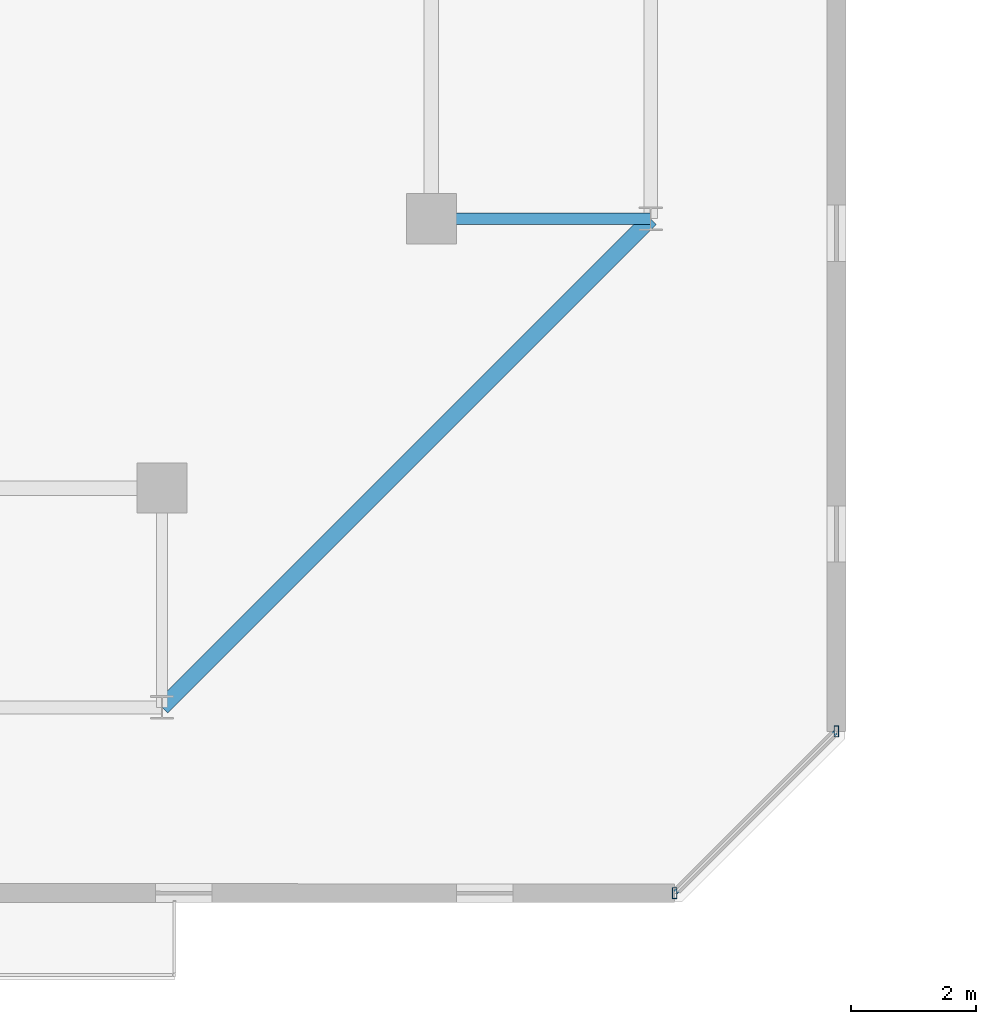
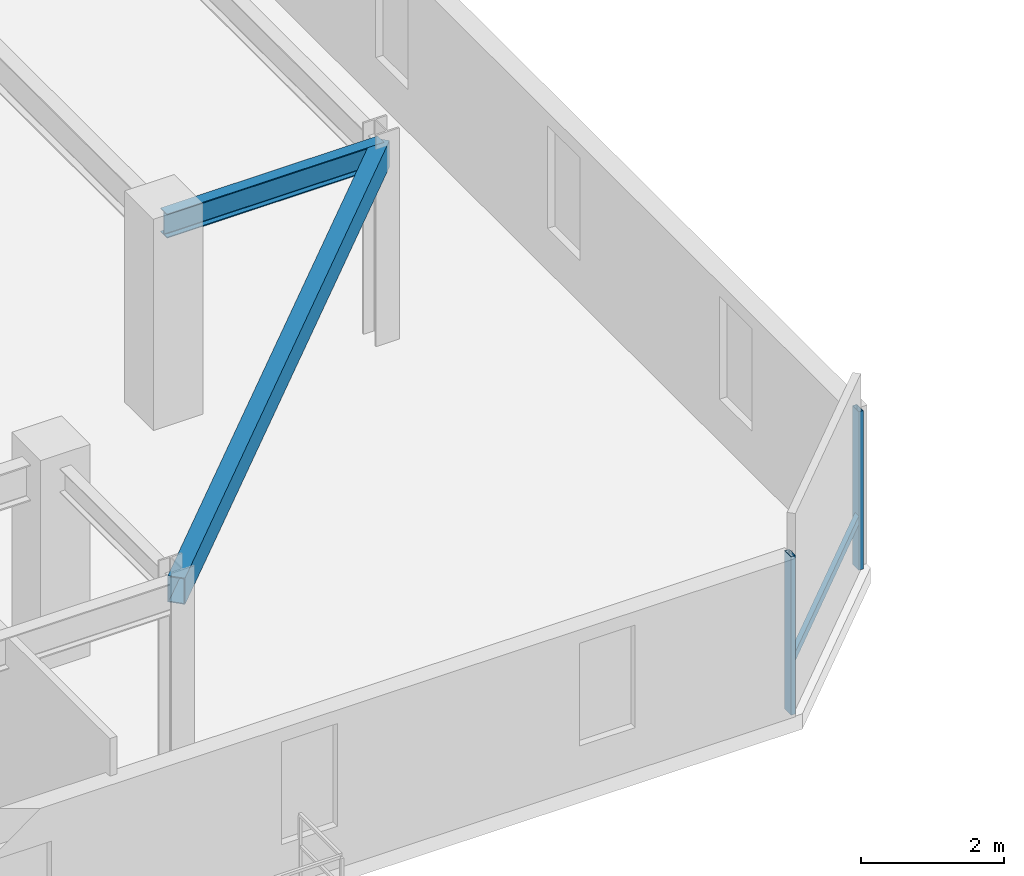
# One storey, part 7 of 34: 3 members, 2 beams, 1 element without a shape of its own.
"""IFC4 building model written with IfcOpenShell, lengths in metres."""

from ifc_helpers import new_model, si_unit, direction, frame, origin, origin_2d, place, context, subcontext, project, spatial, hollow_rectangle, i_section, extrude, material, material_profile, profile_set, type_object, element, aggregate, save


model = new_model("IFC4")

# Units and contexts
model_context = context("Model", 3, precision=1e-05, world=origin(), true_north=direction((0.0, 1.0)))
body_context = subcontext(model_context, "Body", "Model", "MODEL_VIEW")
ifc_project = project(units=[si_unit("LENGTHUNIT", "METRE"), si_unit("AREAUNIT", "SQUARE_METRE"), si_unit("VOLUMEUNIT", "CUBIC_METRE"), si_unit("PLANEANGLEUNIT", "RADIAN"), si_unit("MASSUNIT", "GRAM", prefix="KILO")], contexts=[model_context])

# Site, building, storey
site_placement = place(None, origin())
site = spatial("IfcSite", under=ifc_project, at=site_placement, CompositionType="ELEMENT")
building_placement = place(site_placement, origin())
building = spatial("IfcBuilding", under=site, at=building_placement, Name="Thornwick Lancets Civic Towers", CompositionType="ELEMENT")
storey_placement = place(building_placement, frame((0.0, 0.0, 258.300048828125)))
storey = spatial("IfcBuildingStorey", under=building, at=storey_placement, Name="L69", CompositionType="ELEMENT", Elevation=258.300048828125)

# Beams
ifc_material_1 = material(Name="Steel S355JR", Category="steel")
ifc_material_profile_1 = material_profile(ifc_material_1, i_section(OverallWidth=0.179443359375, OverallDepth=0.412841796875, WebThickness=0.009521484375, FlangeThickness=0.01611328125, FilletRadius=0.01025390625, at=origin_2d()), Name="UKB 406x178x74")
ifc_profile_set_1 = profile_set([ifc_material_profile_1], Name="Steel S355JR")
beam_type_1 = type_object("IfcBeamType", Name="BM_JOIST_406_74", PredefinedType="JOIST", material=ifc_profile_set_1)
beam_1_placement = place(storey_placement, frame((42.800048828125, 14.0, 3.153564453125), z_axis=(1.0, 0.0, 0.0), x_axis=(0.0, 1.0, 0.0)))
element("IfcBeam", 1, at=beam_1_placement, inside=storey, type_object=beam_type_1, Name="BM-RAD-L69-A04", PredefinedType="JOIST", context=body_context, shape_type="SweptSolid", body=[
    extrude(i_section(OverallWidth=0.179443359375, OverallDepth=0.412841796875, WebThickness=0.009521484375, FlangeThickness=0.01611328125, FilletRadius=0.01025390625, at=origin_2d()), origin(), (0.0, 0.0, 1.0), 3.5),
])
ifc_material_profile_2 = material_profile(ifc_material_1, hollow_rectangle(XDim=0.25, YDim=0.449951171875, WallThickness=0.01611328125, at=origin_2d()), Name="RHS 450x250x16")
ifc_profile_set_2 = profile_set([ifc_material_profile_2], Name="Steel S355JR")
beam_type_2 = type_object("IfcBeamType", Name="BM_RING_RHS450", PredefinedType="BEAM", material=ifc_profile_set_2)
beam_2_placement = place(storey_placement, frame((38.5, 6.199951171875, 3.135009765625), z_axis=(0.707106781187, 0.707106781187, 0.0), x_axis=(-0.707106781187, 0.707106781187, 0.0)))
element("IfcBeam", 2, at=beam_2_placement, inside=storey, type_object=beam_type_2, Name="BM-CHAMF-L69-A-C0", PredefinedType="BEAM", context=body_context, shape_type="SweptSolid", body=[
    extrude(hollow_rectangle(XDim=0.25, YDim=0.449951171875, WallThickness=0.01611328125, at=origin_2d()), origin(), (0.0, 0.0, 1.0), 11.031005859375),
])

# Curtain wall, members
ifc_material_2 = material(Name="High-zone chamfered-corner unitised glass curtain wall", Category="glass")
curtain_wall_type = type_object("IfcCurtainWallType", Name="CW_SYS_05", PredefinedType="NOTDEFINED", material=ifc_material_2)
curtain_wall_placement = place(storey_placement, origin())
curtain_wall = element("IfcCurtainWall", 3, at=curtain_wall_placement, inside=storey, type_object=curtain_wall_type, Name="L69 Curtain Wall CW-L69-A-E1", PredefinedType="NOTDEFINED")
ifc_material_3 = material(Name="Thermally broken bronze aluminium S355", Category="steel")
ifc_material_profile_3 = material_profile(ifc_material_3, hollow_rectangle(XDim=0.074951171875, YDim=0.179931640625, WallThickness=0.006103515625, at=origin_2d()), Name="RHS 180x75x6")
ifc_profile_set_3 = profile_set([ifc_material_profile_3], Name="Thermally broken bronze aluminium S355")
member_type_1 = type_object("IfcMemberType", Name="CW_MUL_180", PredefinedType="MULLION", material=ifc_profile_set_3)
member_1_placement = place(storey_placement, frame((46.681396484375, 3.2353515625, 0.0), z_axis=(0.0, 0.0, 1.0), x_axis=(1.0, 0.0, 0.0)))
member_1 = element("IfcMember", 4, at=member_1_placement, type_object=member_type_1, Name="CW-L69-A-E1 Mullion 0", PredefinedType="MULLION", context=body_context, shape_type="SweptSolid", body=[
    extrude(hollow_rectangle(XDim=0.074951171875, YDim=0.179931640625, WallThickness=0.006103515625, at=origin_2d()), origin(), (0.0, 0.0, 1.0), 2.699951171875),
])
member_2_placement = place(storey_placement, frame((49.2646484375, 5.818603515625, 0.0), z_axis=(0.0, 0.0, 1.0), x_axis=(1.0, 0.0, 0.0)))
member_2 = element("IfcMember", 5, at=member_2_placement, type_object=member_type_1, Name="CW-L69-A-E1 Mullion 1", PredefinedType="MULLION", context=body_context, shape_type="SweptSolid", body=[
    extrude(hollow_rectangle(XDim=0.074951171875, YDim=0.179931640625, WallThickness=0.006103515625, at=origin_2d()), origin(), (0.0, 0.0, 1.0), 2.699951171875),
])
ifc_material_profile_4 = material_profile(ifc_material_3, hollow_rectangle(XDim=0.074951171875, YDim=0.14990234375, WallThickness=0.0048828125, at=origin_2d()), Name="RHS 150x75x5")
ifc_profile_set_4 = profile_set([ifc_material_profile_4], Name="Thermally broken bronze aluminium S355")
member_type_2 = type_object("IfcMemberType", Name="CW_TRN_150", PredefinedType="USERDEFINED", material=ifc_profile_set_4)
member_3_placement = place(storey_placement, frame((46.695556640625, 3.24951171875, 0.849853515625), z_axis=(0.707106781187, 0.707106781187, 0.0), x_axis=(-0.707106781187, 0.707106781187, 0.0)))
member_3 = element("IfcMember", 6, at=member_3_placement, type_object=member_type_2, Name="CW-L69-A-E1 Transom 0", ObjectType="TRANSOM", PredefinedType="USERDEFINED", context=body_context, shape_type="SweptSolid", body=[
    extrude(hollow_rectangle(XDim=0.074951171875, YDim=0.14990234375, WallThickness=0.0048828125, at=origin_2d()), origin(), (0.0, 0.0, 1.0), 3.61328125),
])
aggregate(curtain_wall, [member_1, member_2, member_3])

save(model, "model.ifc")
